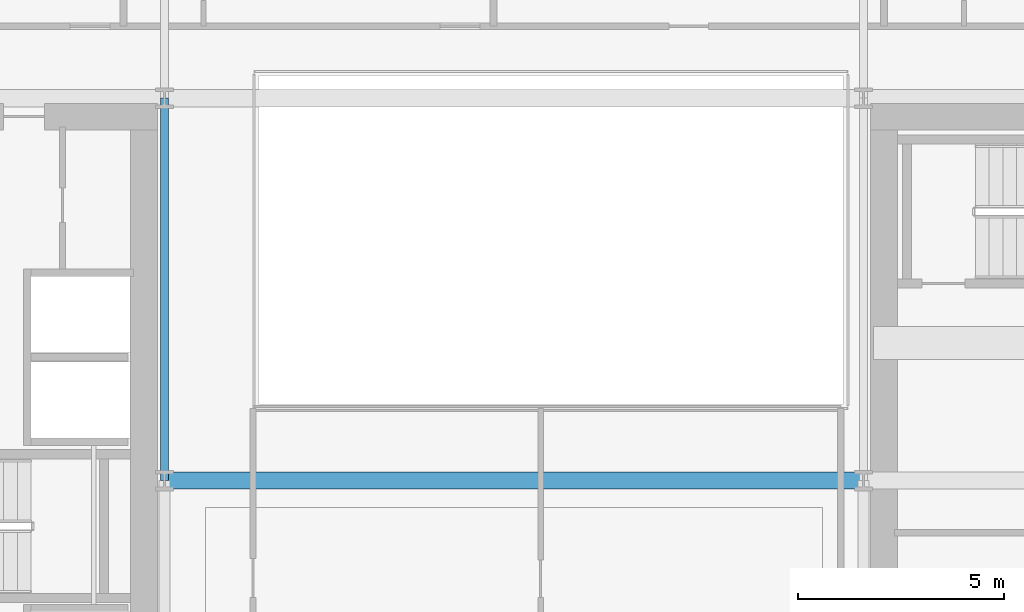
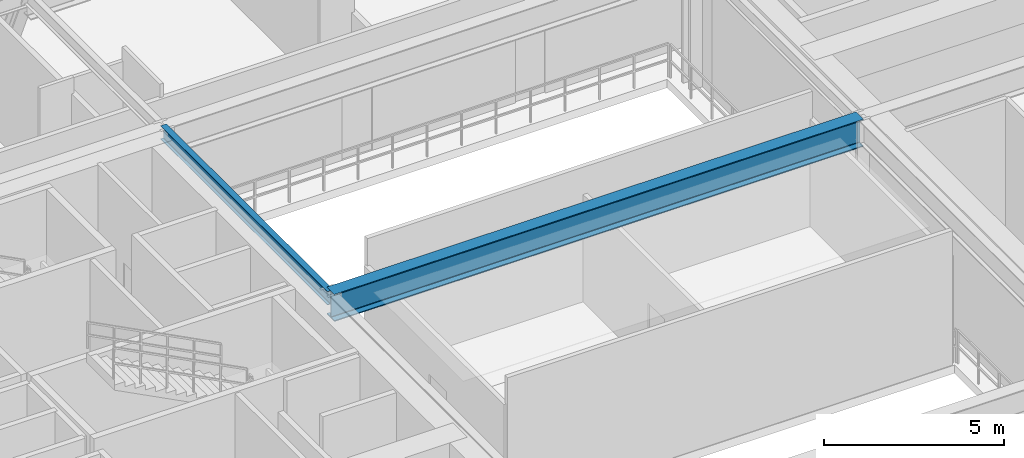
# One storey, part 9 of 35: 2 beams.
"""IFC4 building model written with IfcOpenShell, lengths in metres."""

from ifc_helpers import new_model, si_unit, direction, frame, origin, origin_2d, place, context, subcontext, project, spatial, i_section, extrude, source, transform, mapped, material, material_profile, profile_set, type_object, element, save


model = new_model("IFC4")

# Units and contexts
model_context = context("Model", 3, precision=1e-05, world=origin(), true_north=direction((0.0, 1.0)))
body_context = subcontext(model_context, "Body", "Model", "MODEL_VIEW")
ifc_project = project(units=[si_unit("LENGTHUNIT", "METRE"), si_unit("AREAUNIT", "SQUARE_METRE"), si_unit("VOLUMEUNIT", "CUBIC_METRE"), si_unit("PLANEANGLEUNIT", "RADIAN"), si_unit("MASSUNIT", "GRAM", prefix="KILO")], contexts=[model_context])

# Site, building, storey
site_placement = place(None, origin())
site = spatial("IfcSite", under=ifc_project, at=site_placement, CompositionType="ELEMENT")
building_placement = place(site_placement, origin())
building = spatial("IfcBuilding", under=site, at=building_placement, Name="Ocotamira Hotel", CompositionType="ELEMENT")
storey_placement = place(building_placement, frame((0.0, 0.0, 158.39990234375)))
storey = spatial("IfcBuildingStorey", under=building, at=storey_placement, Name="L39", CompositionType="ELEMENT", Elevation=158.39990234375)

# Beams
ifc_material = material(Name="Steel ASTM A992 Grade 50", Category="steel")
ifc_material_profile_1 = material_profile(ifc_material, i_section(OverallWidth=0.41796875, OverallDepth=0.927001953125, WebThickness=0.019287109375, FlangeThickness=0.031982421875, FilletRadius=0.02392578125, at=origin_2d()), Name="W36X231")
ifc_profile_set_1 = profile_set([ifc_material_profile_1], Name="Steel ASTM A992 Grade 50")
beam_type_1 = type_object("IfcBeamType", Name="BM-GIRD-W36X231", PredefinedType="BEAM", material=ifc_profile_set_1)
shared_shape_1 = source(origin(), body_context, "Body", "SweptSolid", [
    extrude(i_section(OverallWidth=0.41796875, OverallDepth=0.927001953125, WebThickness=0.019287109375, FlangeThickness=0.031982421875, FilletRadius=0.02392578125, at=origin_2d()), origin(), (0.0, 0.0, 1.0), 17.0),
])
beam_1_placement = place(storey_placement, frame((23.5, 28.14990234375, 4.106689453125), z_axis=(1.0, 0.0, 0.0), x_axis=(0.0, 1.0, 0.0)))
element("IfcBeam", 1, at=beam_1_placement, inside=storey, type_object=beam_type_1, Name="L39 Girder Y28.15 X23.5-40.5", PredefinedType="BEAM", context=body_context, shape_type="MappedRepresentation", body=[
    mapped(shared_shape_1, transform((0.0, 0.0, 0.0), scale=1.0)),
])
ifc_material_profile_2 = material_profile(ifc_material, i_section(OverallWidth=0.18994140625, OverallDepth=0.45703125, WebThickness=0.009033203125, FlangeThickness=0.014404296875, FilletRadius=0.010009765625, at=origin_2d()), Name="W18X50")
ifc_profile_set_2 = profile_set([ifc_material_profile_2], Name="Steel ASTM A992 Grade 50")
beam_type_2 = type_object("IfcBeamType", Name="BM-SEC-W18X50", PredefinedType="JOIST", material=ifc_profile_set_2)
shared_shape_2 = source(origin(), body_context, "Body", "SweptSolid", [
    extrude(i_section(OverallWidth=0.18994140625, OverallDepth=0.45703125, WebThickness=0.009033203125, FlangeThickness=0.014404296875, FilletRadius=0.010009765625, at=origin_2d()), origin(), (0.0, 0.0, 1.0), 9.300048828125),
])
beam_2_placement = place(storey_placement, frame((23.5, 28.14990234375, 4.341552734375), z_axis=(0.0, 1.0, 0.0), x_axis=(-1.0, 0.0, 0.0)))
element("IfcBeam", 2, at=beam_2_placement, inside=storey, type_object=beam_type_2, Name="L39 Beam X23.5 Y28.15-37.45", PredefinedType="JOIST", context=body_context, shape_type="MappedRepresentation", body=[
    mapped(shared_shape_2, transform((0.0, 0.0, 0.0), scale=1.0)),
])

save(model, "model.ifc")
